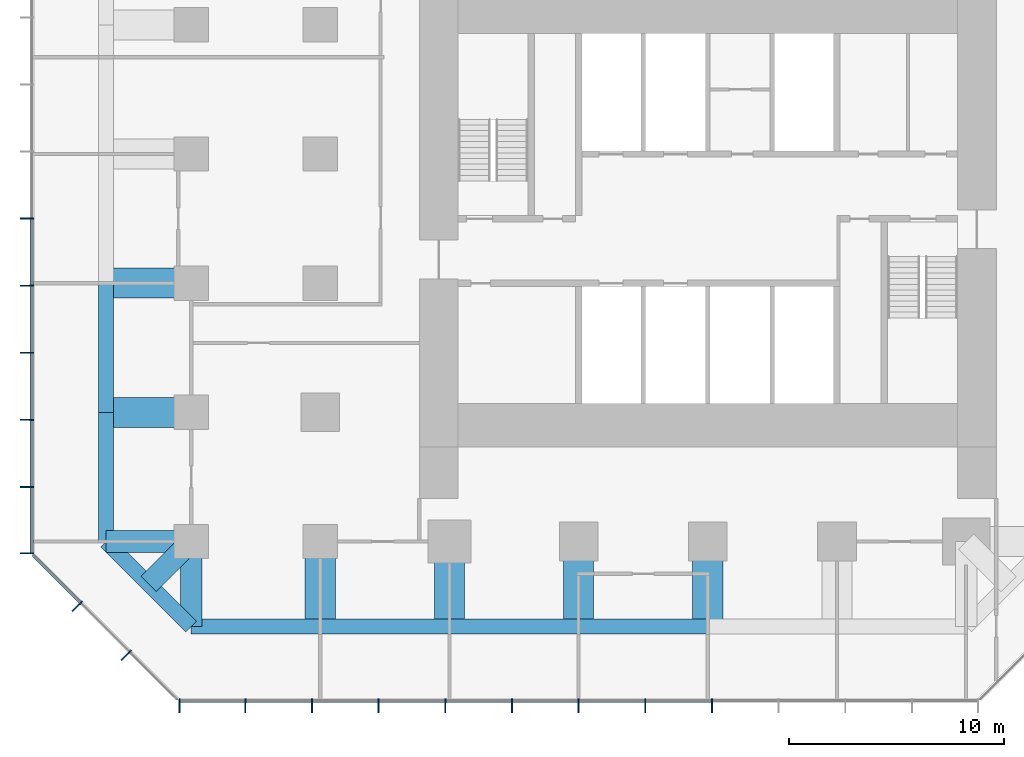
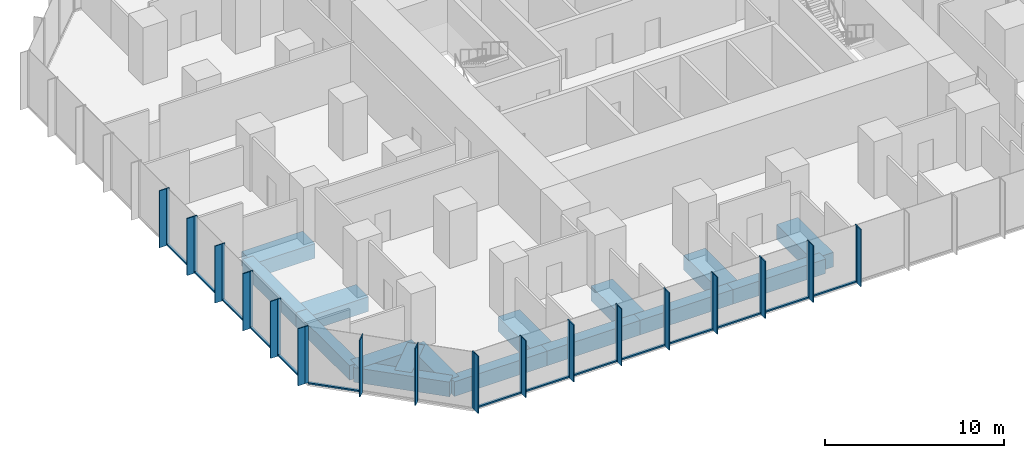
# One storey, part 2 of 11: 48 members, 16 beams, 3 elements without a shape of their own.
"""IFC4 building model written with IfcOpenShell, lengths in metres."""

from ifc_helpers import new_model, si_unit, direction, frame, origin, origin_2d, place, context, subcontext, project, spatial, rectangle, extrude, material, layer, layer_set, material_profile, profile_set, type_object, element, aggregate, save


model = new_model("IFC4")

# Units and contexts
model_context = context("Model", 3, precision=1e-05, world=origin(), true_north=direction((0.0, 1.0)))
body_context = subcontext(model_context, "Body", "Model", "MODEL_VIEW")
ifc_project = project(units=[si_unit("LENGTHUNIT", "METRE"), si_unit("AREAUNIT", "SQUARE_METRE"), si_unit("VOLUMEUNIT", "CUBIC_METRE"), si_unit("PLANEANGLEUNIT", "RADIAN"), si_unit("MASSUNIT", "GRAM", prefix="KILO")], contexts=[model_context])

# Site, building, storey
site_placement = place(None, origin())
site = spatial("IfcSite", under=ifc_project, at=site_placement, CompositionType="ELEMENT")
building_placement = place(site_placement, origin())
building = spatial("IfcBuilding", under=site, at=building_placement, Name="Highveld Stack Headquarters", CompositionType="ELEMENT")
storey_placement = place(building_placement, frame((0.0, 0.0, 128.89990234375)))
storey = spatial("IfcBuildingStorey", under=building, at=storey_placement, Name="L31", CompositionType="ELEMENT", Elevation=128.89990234375)

# Beams
ifc_material_1 = material(Name="Concrete C60/75", Category="concrete")
ifc_material_profile_1 = material_profile(ifc_material_1, rectangle(XDim=1.0, YDim=1.0, at=origin_2d()), Name="RC 1000x1000")
ifc_profile_set_1 = profile_set([ifc_material_profile_1], Name="Concrete C60/75")
beam_type_1 = type_object("IfcBeamType", Name="CANTILEVER RIB RC 1000x1000", PredefinedType="USERDEFINED", material=ifc_profile_set_1)
for number, where, z_axis, x_axis, name in (
    (1, (-18.0, -12.0, -0.75), (-1.0, 0.0, 0.0), (0.0, -1.0, 0.0), "Cantilever rib 3/C L31"),
    (2, (-18.0, -12.0, -0.75), (0.0, -1.0, 0.0), (1.0, 0.0, 0.0), "Cantilever rib 3/C L31"),
):
    element("IfcBeam", number, at=place(storey_placement, frame(where, z_axis=z_axis, x_axis=x_axis)), inside=storey, type_object=beam_type_1, Name=name, ObjectType="CANTILEVER RIB", PredefinedType="USERDEFINED", context=body_context, shape_type="SweptSolid", body=[
        extrude(rectangle(XDim=1.0, YDim=1.0, at=origin_2d()), origin(), (0.0, 0.0, 1.0), 3.949951171875),
    ])
beam_1_placement = place(storey_placement, frame((-18.0, -12.0, -0.75), z_axis=(-0.707106781187, -0.707106781187, 0.0), x_axis=(0.707106781187, -0.707106781187, 0.0)))
element("IfcBeam", 3, at=beam_1_placement, inside=storey, type_object=beam_type_1, Name="Cantilever rib 3/C L31", ObjectType="CANTILEVER RIB", PredefinedType="USERDEFINED", context=body_context, shape_type="SweptSolid", body=[
    extrude(rectangle(XDim=1.0, YDim=1.0, at=origin_2d()), origin(), (0.0, 0.0, 1.0), 2.793212890625),
])
ifc_material_2 = material(Name="Concrete C60/75", Category="concrete")
ifc_material_profile_2 = material_profile(ifc_material_2, rectangle(XDim=1.39990234375, YDim=1.0, at=origin_2d()), Name="RC 1400x1000")
ifc_profile_set_2 = profile_set([ifc_material_profile_2], Name="Concrete C60/75")
beam_type_2 = type_object("IfcBeamType", Name="CANTILEVER RIB RC 1400x1000", PredefinedType="USERDEFINED", material=ifc_profile_set_2)
for number, where, z_axis, x_axis, name in (
    (4, (-18.0, -6.0, -0.75), (-1.0, 0.0, 0.0), (0.0, -1.0, 0.0), "Cantilever rib 3/D L31"),
    (5, (-18.0, 0.0, -0.75), (-1.0, 0.0, 0.0), (0.0, -1.0, 0.0), "Cantilever rib 3/E L31"),
    (6, (-12.0, -12.0, -0.75), (0.0, -1.0, 0.0), (1.0, 0.0, 0.0), "Cantilever rib 4/C L31"),
    (7, (-6.0, -12.0, -0.75), (0.0, -1.0, 0.0), (1.0, 0.0, 0.0), "Cantilever rib 5/C L31"),
    (8, (0.0, -12.0, -0.75), (0.0, -1.0, 0.0), (1.0, 0.0, 0.0), "Cantilever rib 6/C L31"),
    (9, (6.0, -12.0, -0.75), (0.0, -1.0, 0.0), (1.0, 0.0, 0.0), "Cantilever rib 7/C L31"),
):
    element("IfcBeam", number, at=place(storey_placement, frame(where, z_axis=z_axis, x_axis=x_axis)), inside=storey, type_object=beam_type_2, Name=name, ObjectType="CANTILEVER RIB", PredefinedType="USERDEFINED", context=body_context, shape_type="SweptSolid", body=[
        extrude(rectangle(XDim=1.39990234375, YDim=1.0, at=origin_2d()), origin(), (0.0, 0.0, 1.0), 3.949951171875),
    ])

# Curtain wall, members
ifc_material_3 = material(Name="Aluminium bronze anodised", Category="aluminium")
ifc_layer_1 = layer(ifc_material_3, 0.199951171875)
ifc_layer_set_1 = layer_set([ifc_layer_1], Name="Aluminium bronze anodised")
curtain_wall_type_1 = type_object("IfcCurtainWallType", Name="CW1 TOWER UNITISED CURTAIN WALL", PredefinedType="NOTDEFINED", material=ifc_layer_set_1)
curtain_wall_1_placement = place(storey_placement, origin())
curtain_wall_1 = element("IfcCurtainWall", 10, at=curtain_wall_1_placement, inside=storey, type_object=curtain_wall_type_1, Name="Curtain wall CW1 L31 S", PredefinedType="NOTDEFINED")
ifc_material_4 = material(Name="Aluminium bronze anodised", Category="aluminium")
ifc_material_profile_3 = material_profile(ifc_material_4, rectangle(XDim=0.449951171875, YDim=0.06005859375, at=origin_2d()), Name="FIN 450x60")
ifc_profile_set_3 = profile_set([ifc_material_profile_3], Name="Aluminium bronze anodised")
member_type_1 = type_object("IfcMemberType", Name="CW1 BRONZE FIN 450x60", PredefinedType="USERDEFINED", material=ifc_profile_set_3)
member_1_placement = place(storey_placement, frame((-18.54736328125, -19.72509765625, 0.0), z_axis=(0.0, 0.0, 1.0), x_axis=(0.0, 1.0, 0.0)))
member_1 = element("IfcMember", 11, at=member_1_placement, type_object=member_type_1, Name="CW1 fin L31 1", ObjectType="FIN", PredefinedType="USERDEFINED", context=body_context, shape_type="SweptSolid", body=[
    extrude(rectangle(XDim=0.449951171875, YDim=0.06005859375, at=origin_2d()), origin(), (0.0, 0.0, 1.0), 3.900146484375),
])
member_2_placement = place(storey_placement, frame((-15.483154296875, -19.72509765625, 0.0), z_axis=(0.0, 0.0, 1.0), x_axis=(0.0, 1.0, 0.0)))
member_2 = element("IfcMember", 12, at=member_2_placement, type_object=member_type_1, Name="CW1 fin L31 2", ObjectType="FIN", PredefinedType="USERDEFINED", context=body_context, shape_type="SweptSolid", body=[
    extrude(rectangle(XDim=0.449951171875, YDim=0.06005859375, at=origin_2d()), origin(), (0.0, 0.0, 1.0), 3.900146484375),
])
member_3_placement = place(storey_placement, frame((-12.38671875, -19.72509765625, 0.0), z_axis=(0.0, 0.0, 1.0), x_axis=(0.0, 1.0, 0.0)))
member_3 = element("IfcMember", 13, at=member_3_placement, type_object=member_type_1, Name="CW1 fin L31 3", ObjectType="FIN", PredefinedType="USERDEFINED", context=body_context, shape_type="SweptSolid", body=[
    extrude(rectangle(XDim=0.449951171875, YDim=0.06005859375, at=origin_2d()), origin(), (0.0, 0.0, 1.0), 3.900146484375),
])
member_4_placement = place(storey_placement, frame((-9.289794921875, -19.72509765625, 0.0), z_axis=(0.0, 0.0, 1.0), x_axis=(0.0, 1.0, 0.0)))
member_4 = element("IfcMember", 14, at=member_4_placement, type_object=member_type_1, Name="CW1 fin L31 4", ObjectType="FIN", PredefinedType="USERDEFINED", context=body_context, shape_type="SweptSolid", body=[
    extrude(rectangle(XDim=0.449951171875, YDim=0.06005859375, at=origin_2d()), origin(), (0.0, 0.0, 1.0), 3.900146484375),
])
member_5_placement = place(storey_placement, frame((-6.193359375, -19.72509765625, 0.0), z_axis=(0.0, 0.0, 1.0), x_axis=(0.0, 1.0, 0.0)))
member_5 = element("IfcMember", 15, at=member_5_placement, type_object=member_type_1, Name="CW1 fin L31 5", ObjectType="FIN", PredefinedType="USERDEFINED", context=body_context, shape_type="SweptSolid", body=[
    extrude(rectangle(XDim=0.449951171875, YDim=0.06005859375, at=origin_2d()), origin(), (0.0, 0.0, 1.0), 3.900146484375),
])
member_6_placement = place(storey_placement, frame((-3.0966796875, -19.72509765625, 0.0), z_axis=(0.0, 0.0, 1.0), x_axis=(0.0, 1.0, 0.0)))
member_6 = element("IfcMember", 16, at=member_6_placement, type_object=member_type_1, Name="CW1 fin L31 6", ObjectType="FIN", PredefinedType="USERDEFINED", context=body_context, shape_type="SweptSolid", body=[
    extrude(rectangle(XDim=0.449951171875, YDim=0.06005859375, at=origin_2d()), origin(), (0.0, 0.0, 1.0), 3.900146484375),
])
member_7_placement = place(storey_placement, frame((0.0, -19.72509765625, 0.0), z_axis=(0.0, 0.0, 1.0), x_axis=(0.0, 1.0, 0.0)))
member_7 = element("IfcMember", 17, at=member_7_placement, type_object=member_type_1, Name="CW1 fin L31 7", ObjectType="FIN", PredefinedType="USERDEFINED", context=body_context, shape_type="SweptSolid", body=[
    extrude(rectangle(XDim=0.449951171875, YDim=0.06005859375, at=origin_2d()), origin(), (0.0, 0.0, 1.0), 3.900146484375),
])
member_8_placement = place(storey_placement, frame((3.0966796875, -19.72509765625, 0.0), z_axis=(0.0, 0.0, 1.0), x_axis=(0.0, 1.0, 0.0)))
member_8 = element("IfcMember", 18, at=member_8_placement, type_object=member_type_1, Name="CW1 fin L31 8", ObjectType="FIN", PredefinedType="USERDEFINED", context=body_context, shape_type="SweptSolid", body=[
    extrude(rectangle(XDim=0.449951171875, YDim=0.06005859375, at=origin_2d()), origin(), (0.0, 0.0, 1.0), 3.900146484375),
])
member_9_placement = place(storey_placement, frame((6.193359375, -19.72509765625, 0.0), z_axis=(0.0, 0.0, 1.0), x_axis=(0.0, 1.0, 0.0)))
member_9 = element("IfcMember", 19, at=member_9_placement, type_object=member_type_1, Name="CW1 fin L31 9", ObjectType="FIN", PredefinedType="USERDEFINED", context=body_context, shape_type="SweptSolid", body=[
    extrude(rectangle(XDim=0.449951171875, YDim=0.06005859375, at=origin_2d()), origin(), (0.0, 0.0, 1.0), 3.900146484375),
])

curtain_wall_2_placement = place(storey_placement, origin())
curtain_wall_2 = element("IfcCurtainWall", 20, at=curtain_wall_2_placement, inside=storey, type_object=curtain_wall_type_1, Name="Curtain wall CW1 L31 W", PredefinedType="NOTDEFINED")
member_10_placement = place(storey_placement, frame((-25.72509765625, 3.0, 0.0), z_axis=(0.0, 0.0, 1.0), x_axis=(1.0, 0.0, 0.0)))
member_10 = element("IfcMember", 21, at=member_10_placement, type_object=member_type_1, Name="CW1 fin L31 6", ObjectType="FIN", PredefinedType="USERDEFINED", context=body_context, shape_type="SweptSolid", body=[
    extrude(rectangle(XDim=0.449951171875, YDim=0.06005859375, at=origin_2d()), origin(), (0.0, 0.0, 1.0), 3.900146484375),
])
member_11_placement = place(storey_placement, frame((-25.72509765625, -0.115966796875, 0.0), z_axis=(0.0, 0.0, 1.0), x_axis=(1.0, 0.0, 0.0)))
member_11 = element("IfcMember", 22, at=member_11_placement, type_object=member_type_1, Name="CW1 fin L31 7", ObjectType="FIN", PredefinedType="USERDEFINED", context=body_context, shape_type="SweptSolid", body=[
    extrude(rectangle(XDim=0.449951171875, YDim=0.06005859375, at=origin_2d()), origin(), (0.0, 0.0, 1.0), 3.900146484375),
])
member_12_placement = place(storey_placement, frame((-25.72509765625, -3.23193359375, 0.0), z_axis=(0.0, 0.0, 1.0), x_axis=(1.0, 0.0, 0.0)))
member_12 = element("IfcMember", 23, at=member_12_placement, type_object=member_type_1, Name="CW1 fin L31 8", ObjectType="FIN", PredefinedType="USERDEFINED", context=body_context, shape_type="SweptSolid", body=[
    extrude(rectangle(XDim=0.449951171875, YDim=0.06005859375, at=origin_2d()), origin(), (0.0, 0.0, 1.0), 3.900146484375),
])
member_13_placement = place(storey_placement, frame((-25.72509765625, -6.347900390625, 0.0), z_axis=(0.0, 0.0, 1.0), x_axis=(1.0, 0.0, 0.0)))
member_13 = element("IfcMember", 24, at=member_13_placement, type_object=member_type_1, Name="CW1 fin L31 9", ObjectType="FIN", PredefinedType="USERDEFINED", context=body_context, shape_type="SweptSolid", body=[
    extrude(rectangle(XDim=0.449951171875, YDim=0.06005859375, at=origin_2d()), origin(), (0.0, 0.0, 1.0), 3.900146484375),
])
member_14_placement = place(storey_placement, frame((-25.72509765625, -9.4638671875, 0.0), z_axis=(0.0, 0.0, 1.0), x_axis=(1.0, 0.0, 0.0)))
member_14 = element("IfcMember", 25, at=member_14_placement, type_object=member_type_1, Name="CW1 fin L31 10", ObjectType="FIN", PredefinedType="USERDEFINED", context=body_context, shape_type="SweptSolid", body=[
    extrude(rectangle(XDim=0.449951171875, YDim=0.06005859375, at=origin_2d()), origin(), (0.0, 0.0, 1.0), 3.900146484375),
])
member_15_placement = place(storey_placement, frame((-25.72509765625, -12.54736328125, 0.0), z_axis=(0.0, 0.0, 1.0), x_axis=(1.0, 0.0, 0.0)))
member_15 = element("IfcMember", 26, at=member_15_placement, type_object=member_type_1, Name="CW1 fin L31 11", ObjectType="FIN", PredefinedType="USERDEFINED", context=body_context, shape_type="SweptSolid", body=[
    extrude(rectangle(XDim=0.449951171875, YDim=0.06005859375, at=origin_2d()), origin(), (0.0, 0.0, 1.0), 3.900146484375),
])

# Member
ifc_material_5 = material(Name="Aluminium bronze anodised", Category="aluminium")
ifc_material_profile_4 = material_profile(ifc_material_5, rectangle(XDim=0.199951171875, YDim=0.06494140625, at=origin_2d()), Name="CW1 MULLION 65x200")
ifc_profile_set_4 = profile_set([ifc_material_profile_4], Name="Aluminium bronze anodised")
member_type_2 = type_object("IfcMemberType", Name="CW1 MULLION 65x200", PredefinedType="MULLION", material=ifc_profile_set_4)
member_16_placement = place(storey_placement, frame((-18.54736328125, -19.39990234375, 0.0), z_axis=(0.0, 0.0, 1.0), x_axis=(0.0, 1.0, 0.0)))
member_16 = element("IfcMember", 27, at=member_16_placement, type_object=member_type_2, Name="CW1 mullion L31 1", PredefinedType="MULLION", context=body_context, shape_type="SweptSolid", body=[
    extrude(rectangle(XDim=0.199951171875, YDim=0.06494140625, at=origin_2d()), origin(), (0.0, 0.0, 1.0), 3.900146484375),
])

member_17_placement = place(storey_placement, frame((-15.483154296875, -19.39990234375, 0.0), z_axis=(0.0, 0.0, 1.0), x_axis=(0.0, 1.0, 0.0)))
member_17 = element("IfcMember", 28, at=member_17_placement, type_object=member_type_2, Name="CW1 mullion L31 2", PredefinedType="MULLION", context=body_context, shape_type="SweptSolid", body=[
    extrude(rectangle(XDim=0.199951171875, YDim=0.06494140625, at=origin_2d()), origin(), (0.0, 0.0, 1.0), 3.900146484375),
])

member_18_placement = place(storey_placement, frame((-12.38671875, -19.39990234375, 0.0), z_axis=(0.0, 0.0, 1.0), x_axis=(0.0, 1.0, 0.0)))
member_18 = element("IfcMember", 29, at=member_18_placement, type_object=member_type_2, Name="CW1 mullion L31 3", PredefinedType="MULLION", context=body_context, shape_type="SweptSolid", body=[
    extrude(rectangle(XDim=0.199951171875, YDim=0.06494140625, at=origin_2d()), origin(), (0.0, 0.0, 1.0), 3.900146484375),
])

member_19_placement = place(storey_placement, frame((-9.289794921875, -19.39990234375, 0.0), z_axis=(0.0, 0.0, 1.0), x_axis=(0.0, 1.0, 0.0)))
member_19 = element("IfcMember", 30, at=member_19_placement, type_object=member_type_2, Name="CW1 mullion L31 4", PredefinedType="MULLION", context=body_context, shape_type="SweptSolid", body=[
    extrude(rectangle(XDim=0.199951171875, YDim=0.06494140625, at=origin_2d()), origin(), (0.0, 0.0, 1.0), 3.900146484375),
])

member_20_placement = place(storey_placement, frame((-6.193359375, -19.39990234375, 0.0), z_axis=(0.0, 0.0, 1.0), x_axis=(0.0, 1.0, 0.0)))
member_20 = element("IfcMember", 31, at=member_20_placement, type_object=member_type_2, Name="CW1 mullion L31 5", PredefinedType="MULLION", context=body_context, shape_type="SweptSolid", body=[
    extrude(rectangle(XDim=0.199951171875, YDim=0.06494140625, at=origin_2d()), origin(), (0.0, 0.0, 1.0), 3.900146484375),
])

member_21_placement = place(storey_placement, frame((-3.0966796875, -19.39990234375, 0.0), z_axis=(0.0, 0.0, 1.0), x_axis=(0.0, 1.0, 0.0)))
member_21 = element("IfcMember", 32, at=member_21_placement, type_object=member_type_2, Name="CW1 mullion L31 6", PredefinedType="MULLION", context=body_context, shape_type="SweptSolid", body=[
    extrude(rectangle(XDim=0.199951171875, YDim=0.06494140625, at=origin_2d()), origin(), (0.0, 0.0, 1.0), 3.900146484375),
])

member_22_placement = place(storey_placement, frame((0.0, -19.39990234375, 0.0), z_axis=(0.0, 0.0, 1.0), x_axis=(0.0, 1.0, 0.0)))
member_22 = element("IfcMember", 33, at=member_22_placement, type_object=member_type_2, Name="CW1 mullion L31 7", PredefinedType="MULLION", context=body_context, shape_type="SweptSolid", body=[
    extrude(rectangle(XDim=0.199951171875, YDim=0.06494140625, at=origin_2d()), origin(), (0.0, 0.0, 1.0), 3.900146484375),
])

member_23_placement = place(storey_placement, frame((3.0966796875, -19.39990234375, 0.0), z_axis=(0.0, 0.0, 1.0), x_axis=(0.0, 1.0, 0.0)))
member_23 = element("IfcMember", 34, at=member_23_placement, type_object=member_type_2, Name="CW1 mullion L31 8", PredefinedType="MULLION", context=body_context, shape_type="SweptSolid", body=[
    extrude(rectangle(XDim=0.199951171875, YDim=0.06494140625, at=origin_2d()), origin(), (0.0, 0.0, 1.0), 3.900146484375),
])

member_24_placement = place(storey_placement, frame((6.193359375, -19.39990234375, 0.0), z_axis=(0.0, 0.0, 1.0), x_axis=(0.0, 1.0, 0.0)))
member_24 = element("IfcMember", 35, at=member_24_placement, type_object=member_type_2, Name="CW1 mullion L31 9", PredefinedType="MULLION", context=body_context, shape_type="SweptSolid", body=[
    extrude(rectangle(XDim=0.199951171875, YDim=0.06494140625, at=origin_2d()), origin(), (0.0, 0.0, 1.0), 3.900146484375),
])

member_25_placement = place(storey_placement, frame((-25.39990234375, 3.0, 0.0), z_axis=(0.0, 0.0, 1.0), x_axis=(1.0, 0.0, 0.0)))
member_25 = element("IfcMember", 36, at=member_25_placement, type_object=member_type_2, Name="CW1 mullion L31 6", PredefinedType="MULLION", context=body_context, shape_type="SweptSolid", body=[
    extrude(rectangle(XDim=0.199951171875, YDim=0.06494140625, at=origin_2d()), origin(), (0.0, 0.0, 1.0), 3.900146484375),
])

member_26_placement = place(storey_placement, frame((-25.39990234375, -0.115966796875, 0.0), z_axis=(0.0, 0.0, 1.0), x_axis=(1.0, 0.0, 0.0)))
member_26 = element("IfcMember", 37, at=member_26_placement, type_object=member_type_2, Name="CW1 mullion L31 7", PredefinedType="MULLION", context=body_context, shape_type="SweptSolid", body=[
    extrude(rectangle(XDim=0.199951171875, YDim=0.06494140625, at=origin_2d()), origin(), (0.0, 0.0, 1.0), 3.900146484375),
])

member_27_placement = place(storey_placement, frame((-25.39990234375, -3.23193359375, 0.0), z_axis=(0.0, 0.0, 1.0), x_axis=(1.0, 0.0, 0.0)))
member_27 = element("IfcMember", 38, at=member_27_placement, type_object=member_type_2, Name="CW1 mullion L31 8", PredefinedType="MULLION", context=body_context, shape_type="SweptSolid", body=[
    extrude(rectangle(XDim=0.199951171875, YDim=0.06494140625, at=origin_2d()), origin(), (0.0, 0.0, 1.0), 3.900146484375),
])

member_28_placement = place(storey_placement, frame((-25.39990234375, -6.347900390625, 0.0), z_axis=(0.0, 0.0, 1.0), x_axis=(1.0, 0.0, 0.0)))
member_28 = element("IfcMember", 39, at=member_28_placement, type_object=member_type_2, Name="CW1 mullion L31 9", PredefinedType="MULLION", context=body_context, shape_type="SweptSolid", body=[
    extrude(rectangle(XDim=0.199951171875, YDim=0.06494140625, at=origin_2d()), origin(), (0.0, 0.0, 1.0), 3.900146484375),
])

member_29_placement = place(storey_placement, frame((-25.39990234375, -9.4638671875, 0.0), z_axis=(0.0, 0.0, 1.0), x_axis=(1.0, 0.0, 0.0)))
member_29 = element("IfcMember", 40, at=member_29_placement, type_object=member_type_2, Name="CW1 mullion L31 10", PredefinedType="MULLION", context=body_context, shape_type="SweptSolid", body=[
    extrude(rectangle(XDim=0.199951171875, YDim=0.06494140625, at=origin_2d()), origin(), (0.0, 0.0, 1.0), 3.900146484375),
])

member_30_placement = place(storey_placement, frame((-25.39990234375, -12.54736328125, 0.0), z_axis=(0.0, 0.0, 1.0), x_axis=(1.0, 0.0, 0.0)))
member_30 = element("IfcMember", 41, at=member_30_placement, type_object=member_type_2, Name="CW1 mullion L31 11", PredefinedType="MULLION", context=body_context, shape_type="SweptSolid", body=[
    extrude(rectangle(XDim=0.199951171875, YDim=0.06494140625, at=origin_2d()), origin(), (0.0, 0.0, 1.0), 3.900146484375),
])

ifc_material_6 = material(Name="Aluminium bronze anodised", Category="aluminium")
ifc_material_profile_5 = material_profile(ifc_material_6, rectangle(XDim=0.14990234375, YDim=0.10009765625, at=origin_2d()), Name="CW1 TRANSOM 150x100")
ifc_profile_set_5 = profile_set([ifc_material_profile_5], Name="Aluminium bronze anodised")
member_type_3 = type_object("IfcMemberType", Name="CW1 STACK TRANSOM 150x100", PredefinedType="USERDEFINED", material=ifc_profile_set_5)
member_31_placement = place(storey_placement, frame((-18.514892578125, -19.39990234375, 0.050048828125), z_axis=(1.0, 0.0, 0.0), x_axis=(0.0, 1.0, 0.0)))
member_31 = element("IfcMember", 42, at=member_31_placement, type_object=member_type_3, Name="CW1 transom L31 1.1", ObjectType="TRANSOM", PredefinedType="USERDEFINED", context=body_context, shape_type="SweptSolid", body=[
    extrude(rectangle(XDim=0.14990234375, YDim=0.10009765625, at=origin_2d()), origin(), (0.0, 0.0, 1.0), 2.999267578125),
])

member_32_placement = place(storey_placement, frame((-15.45068359375, -19.39990234375, 0.050048828125), z_axis=(1.0, 0.0, 0.0), x_axis=(0.0, 1.0, 0.0)))
member_32 = element("IfcMember", 43, at=member_32_placement, type_object=member_type_3, Name="CW1 transom L31 2.1", ObjectType="TRANSOM", PredefinedType="USERDEFINED", context=body_context, shape_type="SweptSolid", body=[
    extrude(rectangle(XDim=0.14990234375, YDim=0.10009765625, at=origin_2d()), origin(), (0.0, 0.0, 1.0), 3.031494140625),
])

member_33_placement = place(storey_placement, frame((-12.35400390625, -19.39990234375, 0.050048828125), z_axis=(1.0, 0.0, 0.0), x_axis=(0.0, 1.0, 0.0)))
member_33 = element("IfcMember", 44, at=member_33_placement, type_object=member_type_3, Name="CW1 transom L31 3.1", ObjectType="TRANSOM", PredefinedType="USERDEFINED", context=body_context, shape_type="SweptSolid", body=[
    extrude(rectangle(XDim=0.14990234375, YDim=0.10009765625, at=origin_2d()), origin(), (0.0, 0.0, 1.0), 3.031494140625),
])

member_34_placement = place(storey_placement, frame((-9.25732421875, -19.39990234375, 0.050048828125), z_axis=(1.0, 0.0, 0.0), x_axis=(0.0, 1.0, 0.0)))
member_34 = element("IfcMember", 45, at=member_34_placement, type_object=member_type_3, Name="CW1 transom L31 4.1", ObjectType="TRANSOM", PredefinedType="USERDEFINED", context=body_context, shape_type="SweptSolid", body=[
    extrude(rectangle(XDim=0.14990234375, YDim=0.10009765625, at=origin_2d()), origin(), (0.0, 0.0, 1.0), 3.031494140625),
])

member_35_placement = place(storey_placement, frame((-6.160888671875, -19.39990234375, 0.050048828125), z_axis=(1.0, 0.0, 0.0), x_axis=(0.0, 1.0, 0.0)))
member_35 = element("IfcMember", 46, at=member_35_placement, type_object=member_type_3, Name="CW1 transom L31 5.1", ObjectType="TRANSOM", PredefinedType="USERDEFINED", context=body_context, shape_type="SweptSolid", body=[
    extrude(rectangle(XDim=0.14990234375, YDim=0.10009765625, at=origin_2d()), origin(), (0.0, 0.0, 1.0), 3.03173828125),
])

member_36_placement = place(storey_placement, frame((-3.064208984375, -19.39990234375, 0.050048828125), z_axis=(1.0, 0.0, 0.0), x_axis=(0.0, 1.0, 0.0)))
member_36 = element("IfcMember", 47, at=member_36_placement, type_object=member_type_3, Name="CW1 transom L31 6.1", ObjectType="TRANSOM", PredefinedType="USERDEFINED", context=body_context, shape_type="SweptSolid", body=[
    extrude(rectangle(XDim=0.14990234375, YDim=0.10009765625, at=origin_2d()), origin(), (0.0, 0.0, 1.0), 3.03173828125),
])

member_37_placement = place(storey_placement, frame((0.032470703125, -19.39990234375, 0.050048828125), z_axis=(1.0, 0.0, 0.0), x_axis=(0.0, 1.0, 0.0)))
member_37 = element("IfcMember", 48, at=member_37_placement, type_object=member_type_3, Name="CW1 transom L31 7.1", ObjectType="TRANSOM", PredefinedType="USERDEFINED", context=body_context, shape_type="SweptSolid", body=[
    extrude(rectangle(XDim=0.14990234375, YDim=0.10009765625, at=origin_2d()), origin(), (0.0, 0.0, 1.0), 3.03173828125),
])

member_38_placement = place(storey_placement, frame((3.129150390625, -19.39990234375, 0.050048828125), z_axis=(1.0, 0.0, 0.0), x_axis=(0.0, 1.0, 0.0)))
member_38 = element("IfcMember", 49, at=member_38_placement, type_object=member_type_3, Name="CW1 transom L31 8.1", ObjectType="TRANSOM", PredefinedType="USERDEFINED", context=body_context, shape_type="SweptSolid", body=[
    extrude(rectangle(XDim=0.14990234375, YDim=0.10009765625, at=origin_2d()), origin(), (0.0, 0.0, 1.0), 3.03173828125),
])

aggregate(curtain_wall_1, [member_16, member_1, member_17, member_2, member_18, member_3, member_19, member_4, member_20, member_5, member_21, member_6, member_22, member_7, member_23, member_8, member_24, member_9, member_31, member_32, member_33, member_34, member_35, member_36, member_37, member_38])

member_39_placement = place(storey_placement, frame((-25.39990234375, 2.967529296875, 0.050048828125), z_axis=(0.0, -1.0, 0.0), x_axis=(1.0, 0.0, 0.0)))
member_39 = element("IfcMember", 50, at=member_39_placement, type_object=member_type_3, Name="CW1 transom L31 6.1", ObjectType="TRANSOM", PredefinedType="USERDEFINED", context=body_context, shape_type="SweptSolid", body=[
    extrude(rectangle(XDim=0.14990234375, YDim=0.10009765625, at=origin_2d()), origin(), (0.0, 0.0, 1.0), 3.051025390625),
])

member_40_placement = place(storey_placement, frame((-25.39990234375, -0.1484375, 0.050048828125), z_axis=(0.0, -1.0, 0.0), x_axis=(1.0, 0.0, 0.0)))
member_40 = element("IfcMember", 51, at=member_40_placement, type_object=member_type_3, Name="CW1 transom L31 7.1", ObjectType="TRANSOM", PredefinedType="USERDEFINED", context=body_context, shape_type="SweptSolid", body=[
    extrude(rectangle(XDim=0.14990234375, YDim=0.10009765625, at=origin_2d()), origin(), (0.0, 0.0, 1.0), 3.051025390625),
])

member_41_placement = place(storey_placement, frame((-25.39990234375, -3.264404296875, 0.050048828125), z_axis=(0.0, -1.0, 0.0), x_axis=(1.0, 0.0, 0.0)))
member_41 = element("IfcMember", 52, at=member_41_placement, type_object=member_type_3, Name="CW1 transom L31 8.1", ObjectType="TRANSOM", PredefinedType="USERDEFINED", context=body_context, shape_type="SweptSolid", body=[
    extrude(rectangle(XDim=0.14990234375, YDim=0.10009765625, at=origin_2d()), origin(), (0.0, 0.0, 1.0), 3.051025390625),
])

member_42_placement = place(storey_placement, frame((-25.39990234375, -6.38037109375, 0.050048828125), z_axis=(0.0, -1.0, 0.0), x_axis=(1.0, 0.0, 0.0)))
member_42 = element("IfcMember", 53, at=member_42_placement, type_object=member_type_3, Name="CW1 transom L31 9.1", ObjectType="TRANSOM", PredefinedType="USERDEFINED", context=body_context, shape_type="SweptSolid", body=[
    extrude(rectangle(XDim=0.14990234375, YDim=0.10009765625, at=origin_2d()), origin(), (0.0, 0.0, 1.0), 3.051025390625),
])

member_43_placement = place(storey_placement, frame((-25.39990234375, -9.496337890625, 0.050048828125), z_axis=(0.0, -1.0, 0.0), x_axis=(1.0, 0.0, 0.0)))
member_43 = element("IfcMember", 54, at=member_43_placement, type_object=member_type_3, Name="CW1 transom L31 10.1", ObjectType="TRANSOM", PredefinedType="USERDEFINED", context=body_context, shape_type="SweptSolid", body=[
    extrude(rectangle(XDim=0.14990234375, YDim=0.10009765625, at=origin_2d()), origin(), (0.0, 0.0, 1.0), 3.0185546875),
])

aggregate(curtain_wall_2, [member_25, member_10, member_26, member_11, member_27, member_12, member_28, member_13, member_29, member_14, member_30, member_15, member_39, member_40, member_41, member_42, member_43])

# Curtain wall, members
ifc_material_7 = material(Name="Aluminium bronze anodised", Category="aluminium")
ifc_layer_2 = layer(ifc_material_7, 0.199951171875)
ifc_layer_set_2 = layer_set([ifc_layer_2], Name="Aluminium bronze anodised")
curtain_wall_type_2 = type_object("IfcCurtainWallType", Name="CW2 TOWER CHAMFER UNITISED CURTAIN WALL", PredefinedType="NOTDEFINED", material=ifc_layer_set_2)
curtain_wall_3_placement = place(storey_placement, origin())
curtain_wall_3 = element("IfcCurtainWall", 55, at=curtain_wall_3_placement, inside=storey, type_object=curtain_wall_type_2, Name="Curtain wall CW2 L31 SW", PredefinedType="NOTDEFINED")
ifc_material_8 = material(Name="Aluminium bronze anodised", Category="aluminium")
ifc_material_profile_6 = material_profile(ifc_material_8, rectangle(XDim=0.449951171875, YDim=0.06005859375, at=origin_2d()), Name="FIN 450x60")
ifc_profile_set_6 = profile_set([ifc_material_profile_6], Name="Aluminium bronze anodised")
member_type_4 = type_object("IfcMemberType", Name="CW2 BRONZE FIN 450x60", PredefinedType="USERDEFINED", material=ifc_profile_set_6)
member_44_placement = place(storey_placement, frame((-23.3564453125, -15.0830078125, 0.0), z_axis=(0.0, 0.0, 1.0), x_axis=(0.707106781187, 0.707106781187, 0.0)))
member_44 = element("IfcMember", 56, at=member_44_placement, type_object=member_type_4, Name="CW2 fin L31 1", ObjectType="FIN", PredefinedType="USERDEFINED", context=body_context, shape_type="SweptSolid", body=[
    extrude(rectangle(XDim=0.449951171875, YDim=0.06005859375, at=origin_2d()), origin(), (0.0, 0.0, 1.0), 3.900146484375),
])
member_45_placement = place(storey_placement, frame((-21.0830078125, -17.3564453125, 0.0), z_axis=(0.0, 0.0, 1.0), x_axis=(0.707106781187, 0.707106781187, 0.0)))
member_45 = element("IfcMember", 57, at=member_45_placement, type_object=member_type_4, Name="CW2 fin L31 2", ObjectType="FIN", PredefinedType="USERDEFINED", context=body_context, shape_type="SweptSolid", body=[
    extrude(rectangle(XDim=0.449951171875, YDim=0.06005859375, at=origin_2d()), origin(), (0.0, 0.0, 1.0), 3.900146484375),
])
ifc_material_9 = material(Name="Aluminium bronze anodised", Category="aluminium")
ifc_material_profile_7 = material_profile(ifc_material_9, rectangle(XDim=0.199951171875, YDim=0.06494140625, at=origin_2d()), Name="CW2 MULLION 65x200")
ifc_profile_set_7 = profile_set([ifc_material_profile_7], Name="Aluminium bronze anodised")
member_type_5 = type_object("IfcMemberType", Name="CW2 MULLION 65x200", PredefinedType="MULLION", material=ifc_profile_set_7)
member_46_placement = place(storey_placement, frame((-23.126708984375, -14.853271484375, 0.0), z_axis=(0.0, 0.0, 1.0), x_axis=(0.707106781187, 0.707106781187, 0.0)))
member_46 = element("IfcMember", 58, at=member_46_placement, type_object=member_type_5, Name="CW2 mullion L31 1", PredefinedType="MULLION", context=body_context, shape_type="SweptSolid", body=[
    extrude(rectangle(XDim=0.199951171875, YDim=0.06494140625, at=origin_2d()), origin(), (0.0, 0.0, 1.0), 3.900146484375),
])
member_47_placement = place(storey_placement, frame((-20.853271484375, -17.126708984375, 0.0), z_axis=(0.0, 0.0, 1.0), x_axis=(0.707106781187, 0.707106781187, 0.0)))
member_47 = element("IfcMember", 59, at=member_47_placement, type_object=member_type_5, Name="CW2 mullion L31 2", PredefinedType="MULLION", context=body_context, shape_type="SweptSolid", body=[
    extrude(rectangle(XDim=0.199951171875, YDim=0.06494140625, at=origin_2d()), origin(), (0.0, 0.0, 1.0), 3.900146484375),
])
ifc_material_10 = material(Name="Aluminium bronze anodised", Category="aluminium")
ifc_material_profile_8 = material_profile(ifc_material_10, rectangle(XDim=0.14990234375, YDim=0.10009765625, at=origin_2d()), Name="CW2 TRANSOM 150x100")
ifc_profile_set_8 = profile_set([ifc_material_profile_8], Name="Aluminium bronze anodised")
member_type_6 = type_object("IfcMemberType", Name="CW2 STACK TRANSOM 150x100", PredefinedType="USERDEFINED", material=ifc_profile_set_8)
member_48_placement = place(storey_placement, frame((-25.329345703125, -12.650634765625, 0.050048828125), z_axis=(0.707106781187, -0.707106781187, 0.0), x_axis=(0.707106781187, 0.707106781187, 0.0)))
member_48 = element("IfcMember", 60, at=member_48_placement, type_object=member_type_6, Name="CW2 transom L31 1.1", ObjectType="TRANSOM", PredefinedType="USERDEFINED", context=body_context, shape_type="SweptSolid", body=[
    extrude(rectangle(XDim=0.14990234375, YDim=0.10009765625, at=origin_2d()), origin(), (0.0, 0.0, 1.0), 3.08251953125),
])
aggregate(curtain_wall_3, [member_46, member_44, member_47, member_45, member_48])

# Beams
ifc_material_11 = material(Name="Concrete C60/75", Category="concrete")
ifc_material_profile_9 = material_profile(ifc_material_11, rectangle(XDim=0.699951171875, YDim=1.0, at=origin_2d()), Name="RC 700x1000")
ifc_profile_set_9 = profile_set([ifc_material_profile_9], Name="Concrete C60/75")
beam_type_3 = type_object("IfcBeamType", Name="RIB TIP BEAM RC 700x1000", PredefinedType="SPANDREL", material=ifc_profile_set_9)
for number, where, z_axis, x_axis, name in (
    (61, (-21.949951171875, -12.0, -0.75), (0.0, 1.0, 0.0), (-1.0, 0.0, 0.0), "Rib tip beam 3/C to 3/D L31"),
    (62, (-21.949951171875, -6.0, -0.75), (0.0, 1.0, 0.0), (-1.0, 0.0, 0.0), "Rib tip beam 3/D to 3/E L31"),
    (63, (-18.0, -15.949951171875, -0.75), (1.0, 0.0, 0.0), (0.0, 1.0, 0.0), "Rib tip beam 3/C to 4/C L31"),
    (64, (-12.0, -15.949951171875, -0.75), (1.0, 0.0, 0.0), (0.0, 1.0, 0.0), "Rib tip beam 4/C to 5/C L31"),
    (65, (-6.0, -15.949951171875, -0.75), (1.0, 0.0, 0.0), (0.0, 1.0, 0.0), "Rib tip beam 5/C to 6/C L31"),
    (66, (0.0, -15.949951171875, -0.75), (1.0, 0.0, 0.0), (0.0, 1.0, 0.0), "Rib tip beam 6/C to 7/C L31"),
):
    element("IfcBeam", number, at=place(storey_placement, frame(where, z_axis=z_axis, x_axis=x_axis)), inside=storey, type_object=beam_type_3, Name=name, PredefinedType="SPANDREL", context=body_context, shape_type="SweptSolid", body=[
        extrude(rectangle(XDim=0.699951171875, YDim=1.0, at=origin_2d()), origin(), (0.0, 0.0, 1.0), 6.0),
    ])
beam_2_placement = place(storey_placement, frame((-21.949951171875, -12.0, -0.75), z_axis=(0.707106781187, -0.707106781187, 0.0), x_axis=(0.707106781187, 0.707106781187, 0.0)))
element("IfcBeam", 67, at=beam_2_placement, inside=storey, type_object=beam_type_3, Name="Rib tip beam 3/C corner L31", PredefinedType="SPANDREL", context=body_context, shape_type="SweptSolid", body=[
    extrude(rectangle(XDim=0.699951171875, YDim=1.0, at=origin_2d()), origin(), (0.0, 0.0, 1.0), 5.586181640625),
])

save(model, "model.ifc")
